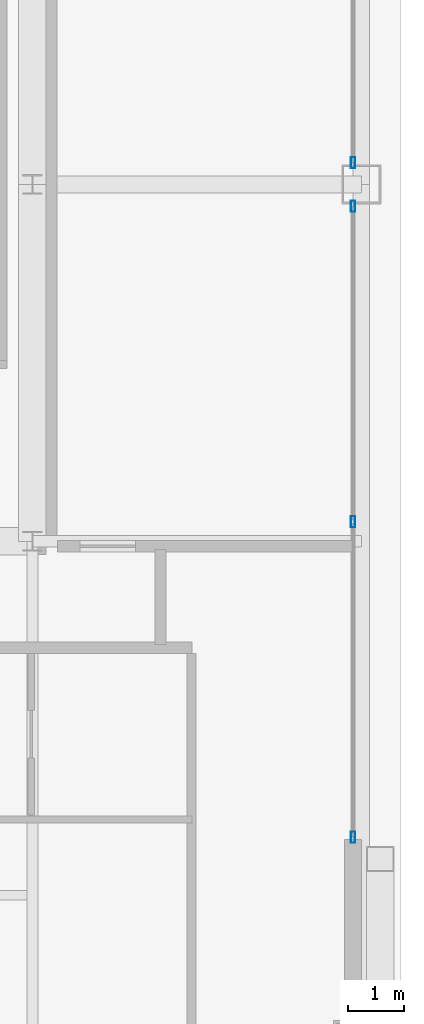
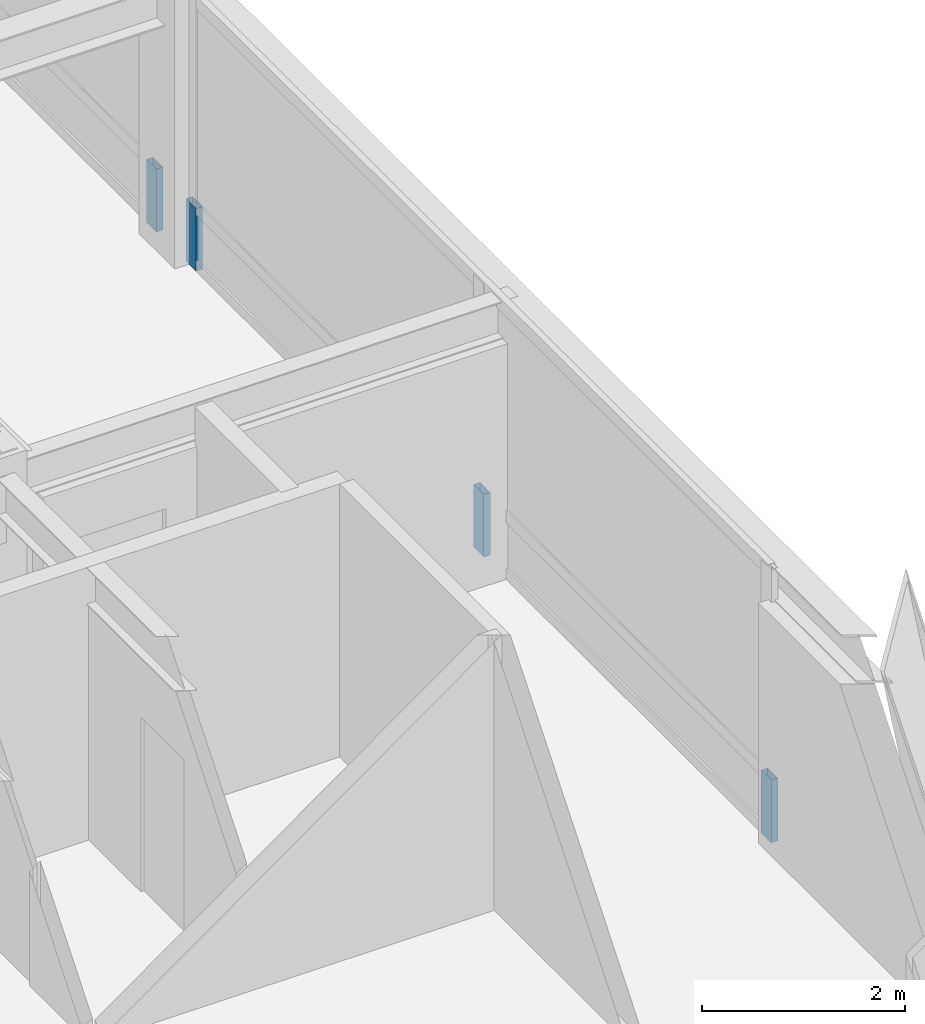
# One storey, part 24 of 35: 4 members, 2 elements without a shape of their own.
"""IFC4 building model written with IfcOpenShell, lengths in metres."""

from ifc_helpers import new_model, si_unit, direction, frame, origin, origin_2d, place, context, subcontext, project, spatial, hollow_rectangle, extrude, source, transform, mapped, material, layer, layer_set, material_profile, profile_set, type_object, element, aggregate, save


model = new_model("IFC4")

# Units and contexts
model_context = context("Model", 3, precision=1e-05, world=origin(), true_north=direction((0.0, 1.0)))
body_context = subcontext(model_context, "Body", "Model", "MODEL_VIEW")
ifc_project = project(units=[si_unit("LENGTHUNIT", "METRE"), si_unit("AREAUNIT", "SQUARE_METRE"), si_unit("VOLUMEUNIT", "CUBIC_METRE"), si_unit("PLANEANGLEUNIT", "RADIAN"), si_unit("MASSUNIT", "GRAM", prefix="KILO"), si_unit("THERMODYNAMICTEMPERATUREUNIT", "KELVIN"), si_unit("POWERUNIT", "WATT")], contexts=[model_context])

# Site, building, storey
site_placement = place(None, origin())
site = spatial("IfcSite", under=ifc_project, at=site_placement, CompositionType="ELEMENT")
building_placement = place(site_placement, origin())
building = spatial("IfcBuilding", under=site, at=building_placement, Name="Yuzanri Waterfront Tower", CompositionType="ELEMENT")
storey_placement = place(building_placement, frame((0.0, 0.0, 314.699951171875)))
storey = spatial("IfcBuildingStorey", under=building, at=storey_placement, Name="L84", CompositionType="ELEMENT", Elevation=314.699951171875)

# Curtain wall, members
ifc_material_1 = material(Name="Anodized Architectural Bronze", Category="metal")
ifc_layer = layer(ifc_material_1, 0.159912109375)
ifc_layer_set = layer_set([ifc_layer], Name="Anodized Architectural Bronze")
curtain_wall_type = type_object("IfcCurtainWallType", Name="Anodized Bronze High-Rise Penthouse High-Wind Unitized Curtain Wall 6900", PredefinedType="NOTDEFINED", material=ifc_layer_set)
curtain_wall_1_placement = place(storey_placement, origin())
curtain_wall_1 = element("IfcCurtainWall", 1, at=curtain_wall_1_placement, inside=storey, type_object=curtain_wall_type, Name="L84 Curtain Wall CW-L84-EL", PredefinedType="NOTDEFINED")
ifc_material_2 = material(Name="Anodized Architectural Bronze", Category="metal")
ifc_material_profile = material_profile(ifc_material_2, hollow_rectangle(XDim=0.074951171875, YDim=0.199951171875, WallThickness=0.00390625, at=origin_2d()), Name="CWM 75x200")
ifc_profile_set = profile_set([ifc_material_profile], Name="Anodized Architectural Bronze")
member_type = type_object("IfcMemberType", Name="Anodized Bronze Primary Curtain-Wall Mullion 75x200", PredefinedType="MULLION", material=ifc_profile_set)
shared_shape = source(origin(), body_context, "Body", "SweptSolid", [
    extrude(hollow_rectangle(XDim=0.074951171875, YDim=0.199951171875, WallThickness=0.00390625, at=origin_2d()), origin(), (0.0, 0.0, 1.0), 0.751953125),
])
member_1_placement = place(storey_placement, frame((55.949951171875, 14.090087890625, 0.0), z_axis=(0.0, 0.0, 1.0), x_axis=(1.0, 0.0, 0.0)))
member_1 = element("IfcMember", 2, at=member_1_placement, type_object=member_type, Name="CW-L84-EL Lower Mullion 00", PredefinedType="MULLION", context=body_context, shape_type="MappedRepresentation", body=[
    mapped(shared_shape, transform((0.0, 0.0, 0.0), scale=1.0)),
])
member_2_placement = place(storey_placement, frame((55.949951171875, 19.75, 0.0), z_axis=(0.0, 0.0, 1.0), x_axis=(1.0, 0.0, 0.0)))
member_2 = element("IfcMember", 3, at=member_2_placement, type_object=member_type, Name="CW-L84-EL Lower Mullion 01", PredefinedType="MULLION", context=body_context, shape_type="MappedRepresentation", body=[
    mapped(shared_shape, transform((0.0, 0.0, 0.0), scale=1.0)),
])
member_3_placement = place(storey_placement, frame((55.949951171875, 25.409912109375, 0.0), z_axis=(0.0, 0.0, 1.0), x_axis=(1.0, 0.0, 0.0)))
member_3 = element("IfcMember", 4, at=member_3_placement, type_object=member_type, Name="CW-L84-EL Lower Mullion 02", PredefinedType="MULLION", context=body_context, shape_type="MappedRepresentation", body=[
    mapped(shared_shape, transform((0.0, 0.0, 0.0), scale=1.0)),
])
aggregate(curtain_wall_1, [member_1, member_2, member_3])

# Curtain wall, member
curtain_wall_2_placement = place(storey_placement, origin())
curtain_wall_2 = element("IfcCurtainWall", 5, at=curtain_wall_2_placement, inside=storey, type_object=curtain_wall_type, Name="L84 Curtain Wall CW-L84-ER", PredefinedType="NOTDEFINED")
member_4_placement = place(storey_placement, frame((55.949951171875, 26.18994140625, 0.0), z_axis=(0.0, 0.0, 1.0), x_axis=(1.0, 0.0, 0.0)))
member_4 = element("IfcMember", 6, at=member_4_placement, type_object=member_type, Name="CW-L84-ER Lower Mullion 00", PredefinedType="MULLION", context=body_context, shape_type="MappedRepresentation", body=[
    mapped(shared_shape, transform((0.0, 0.0, 0.0), scale=1.0)),
])
aggregate(curtain_wall_2, [member_4])

save(model, "model.ifc")
